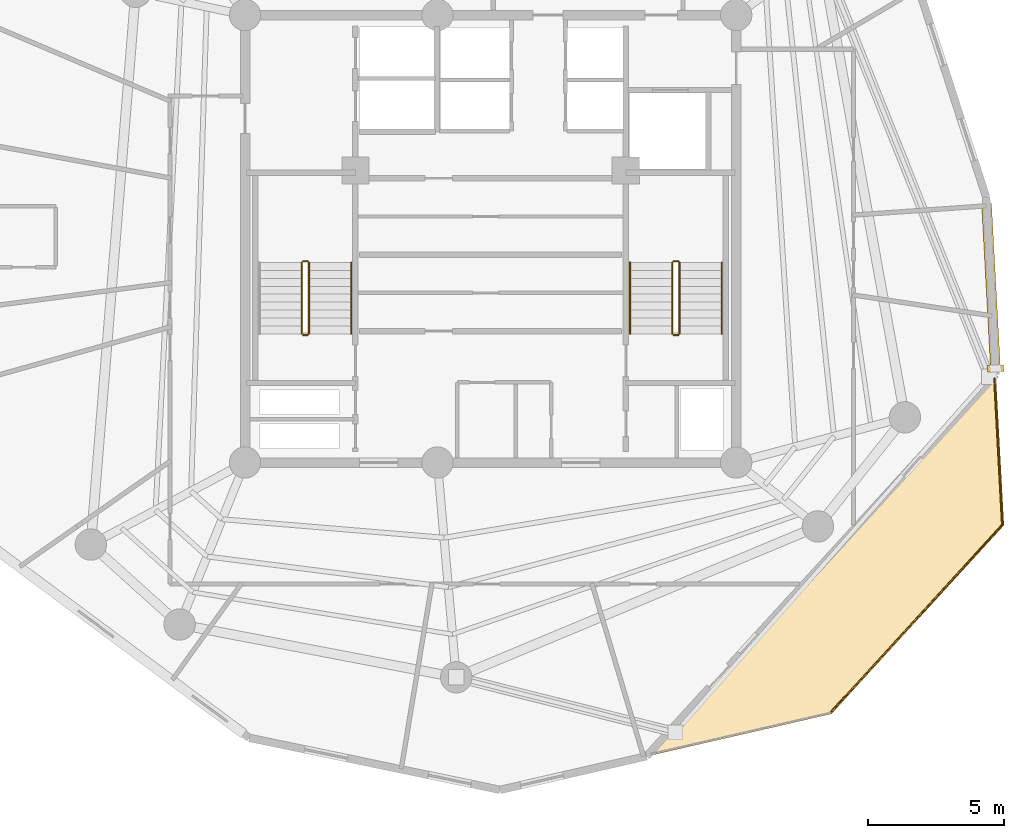
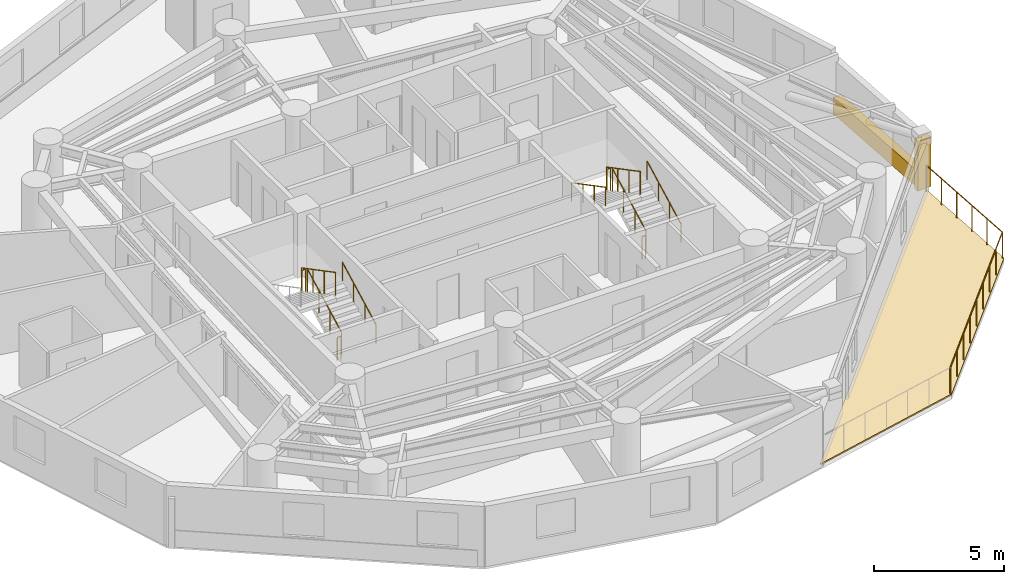
# One storey, part 8 of 9: 13 railings, 2 coverings, 1 shading device.
"""IFC4 building model written with IfcOpenShell, lengths in metres."""

import ifcopenshell
import ifcopenshell.guid

model = None  # the IFC model being written
_history = None  # IfcOwnerHistory: only IFC2X3 demands one
_inside = {}  # id of a spatial element -> (the spatial element, [elements in it])
_under = {}  # id of a project, library or spatial element -> (it, [spatial elements below it])
_declared = {}  # id of a project -> (the project, [libraries it declares])
_typed = {}  # id of a type object -> (the type object, [elements of that type])
_made_of = {}  # id of a material, layer set ... -> (it, [elements and type objects made of it])


def new_model(schema):
    """Start an empty IFC model of exactly this schema.

    Asked for "IFC4X3", IfcOpenShell would pick the latest addendum, in which some entities
    have other attributes; the version numbers below select the first issue.
    IFC2X3 requires an IfcOwnerHistory on every rooted entity: one is made here for all.
    """
    global model, _history
    if schema == "IFC4X3":
        model = ifcopenshell.file(schema_version=(4, 3, 0, 0))
    else:
        model = ifcopenshell.file(schema=schema)
    _inside.clear()
    _under.clear()
    _declared.clear()
    _typed.clear()
    _made_of.clear()
    _history = None
    if model.schema == "IFC2X3":
        org = make("IfcOrganization", Name="unknown")
        user = make(
            "IfcPersonAndOrganization",
            ThePerson=make("IfcPerson", FamilyName="unknown"),
            TheOrganization=org,
        )
        app = make(
            "IfcApplication",
            ApplicationDeveloper=org,
            Version="unknown",
            ApplicationFullName="unknown",
            ApplicationIdentifier="unknown",
        )
        _history = make(
            "IfcOwnerHistory",
            OwningUser=user,
            OwningApplication=app,
            ChangeAction="ADDED",
            CreationDate=0,
        )
    return model


def make(cls, **values):
    """One entity of the class cls with the attributes given. An attribute that is None is left unset."""
    return model.create_entity(
        cls, **{name: value for name, value in values.items() if value is not None}
    )


def rooted(cls, **values):
    """An entity with a GlobalId (a new one), such as an element, a storey or a relation."""
    return make(cls, GlobalId=ifcopenshell.guid.new(), OwnerHistory=_history, **values)


def si_unit(unit_type, name, prefix=None):
    """IfcSIUnit, for example si_unit("LENGTHUNIT", "METRE", prefix="MILLI")."""
    return make("IfcSIUnit", UnitType=unit_type, Prefix=prefix, Name=name)


def assignment(units):
    """IfcUnitAssignment: the units of a project."""
    return None if units is None else make("IfcUnitAssignment", Units=units)


def point(xyz):
    """IfcCartesianPoint."""
    return None if xyz is None else make("IfcCartesianPoint", Coordinates=xyz)


def direction(xyz):
    """IfcDirection."""
    return None if xyz is None else make("IfcDirection", DirectionRatios=xyz)


def frame(location, z_axis=None, x_axis=None):
    """IfcAxis2Placement3D, a coordinate frame: its origin and axes. An axis left out is left unset."""
    return make(
        "IfcAxis2Placement3D",
        Location=point(location),
        Axis=direction(z_axis),
        RefDirection=direction(x_axis),
    )


def frame_2d(location, x_axis=None):
    """IfcAxis2Placement2D, a coordinate frame in the plane: its origin and x axis."""
    return make(
        "IfcAxis2Placement2D", Location=point(location), RefDirection=direction(x_axis)
    )


def origin():
    """The frame at (0, 0, 0) with its axes left unset."""
    return frame((0.0, 0.0, 0.0))


def origin_with_axes():
    """The frame at (0, 0, 0) with the z axis (0, 0, 1) and the x axis (1, 0, 0) written out."""
    return frame((0.0, 0.0, 0.0), z_axis=(0.0, 0.0, 1.0), x_axis=(1.0, 0.0, 0.0))


def origin_2d():
    """The frame at (0, 0) in the plane with its x axis left unset."""
    return frame_2d((0.0, 0.0))


def place(relative_to, where):
    """IfcLocalPlacement: puts the frame where relative to a parent placement (None: the world)."""
    return make(
        "IfcLocalPlacement", PlacementRelTo=relative_to, RelativePlacement=where
    )


def context(
    kind, dimensions, precision=None, world=None, true_north=None, identifier=None
):
    """IfcGeometricRepresentationContext, for example the 3D "Model" context."""
    return make(
        "IfcGeometricRepresentationContext",
        ContextIdentifier=identifier,
        ContextType=kind,
        CoordinateSpaceDimension=dimensions,
        Precision=precision,
        WorldCoordinateSystem=world,
        TrueNorth=true_north,
    )


def subcontext(parent, identifier, kind, view, scale=None):
    """IfcGeometricRepresentationSubContext, for example "Body" below "Model"."""
    return make(
        "IfcGeometricRepresentationSubContext",
        ContextIdentifier=identifier,
        ContextType=kind,
        ParentContext=parent,
        TargetScale=scale,
        TargetView=view,
    )


def project(units=None, contexts=None):
    """IfcProject with its units and contexts."""
    return rooted(
        "IfcProject",
        Name="project",
        RepresentationContexts=contexts,
        UnitsInContext=assignment(units),
    )


def spatial(cls, under=None, at=None, **own):
    """A site, building, storey or space (cls), placed at a placement, below another one or the project."""
    s = rooted(cls, ObjectPlacement=at, **own)
    if under is not None:
        _under.setdefault(under.id(), (under, []))[1].append(s)
    return s


def polyline(points):
    """IfcPolyline through the points."""
    return make("IfcPolyline", Points=[point(p) for p in points])


def profile(cls, at=None, kind="AREA", **sizes):
    """A parametric profile (cls). Its sizes go by their IFC names, for example OverallWidth=200.0."""
    return make(cls, ProfileType=kind, Position=at, **sizes)


def rectangle(**sizes):
    """IfcRectangleProfileDef."""
    return profile("IfcRectangleProfileDef", **sizes)


def circle(**sizes):
    """IfcCircleProfileDef."""
    return profile("IfcCircleProfileDef", **sizes)


def outline(outer, holes=None, kind="AREA"):
    """IfcArbitraryClosedProfileDef: a profile drawn as a closed curve; with holes, ...WithVoids."""
    if holes is None:
        return make("IfcArbitraryClosedProfileDef", ProfileType=kind, OuterCurve=outer)
    return make(
        "IfcArbitraryProfileDefWithVoids",
        ProfileType=kind,
        OuterCurve=outer,
        InnerCurves=holes,
    )


def extrude(swept, where, along, depth):
    """IfcExtrudedAreaSolid: the profile swept, set in the frame where, extruded along a direction by depth."""
    return make(
        "IfcExtrudedAreaSolid",
        SweptArea=swept,
        Position=where,
        ExtrudedDirection=direction(along),
        Depth=depth,
    )


def shape(context_of_items, identifier, shape_type, items):
    """IfcShapeRepresentation: the items that make up one representation, for example the "Body"."""
    return make(
        "IfcShapeRepresentation",
        ContextOfItems=context_of_items,
        RepresentationIdentifier=identifier,
        RepresentationType=shape_type,
        Items=items,
    )


def source(mapping_origin, context_of_items, identifier, shape_type, items):
    """IfcRepresentationMap: a shape defined once, which mapped items show again and again."""
    return make(
        "IfcRepresentationMap",
        MappingOrigin=mapping_origin,
        MappedRepresentation=shape(context_of_items, identifier, shape_type, items),
    )


def transform(
    local_origin,
    x_axis=None,
    y_axis=None,
    z_axis=None,
    scale=None,
    scale2=None,
    scale3=None,
    uniform=True,
):
    """IfcCartesianTransformationOperator3D, or its non-uniform kind. x_axis, y_axis, z_axis: its Axis1, 2, 3."""
    if uniform:
        return make(
            "IfcCartesianTransformationOperator3D",
            Axis1=direction(x_axis),
            Axis2=direction(y_axis),
            LocalOrigin=point(local_origin),
            Scale=scale,
            Axis3=direction(z_axis),
        )
    return make(
        "IfcCartesianTransformationOperator3DnonUniform",
        Axis1=direction(x_axis),
        Axis2=direction(y_axis),
        LocalOrigin=point(local_origin),
        Scale=scale,
        Axis3=direction(z_axis),
        Scale2=scale2,
        Scale3=scale3,
    )


def mapped(mapping_source, mapping_target):
    """IfcMappedItem: shows the shape of a source again, moved by a transform."""
    return make(
        "IfcMappedItem", MappingSource=mapping_source, MappingTarget=mapping_target
    )


def material(Name=None, Category=None):
    """IfcMaterial."""
    return make("IfcMaterial", Name=Name, Category=Category)


def layer(
    of_material, thickness, ventilated=None, Name=None, Category=None, Priority=None
):
    """IfcMaterialLayer: one layer of a wall or slab, of a material (None: an air gap)."""
    return make(
        "IfcMaterialLayer",
        Material=of_material,
        LayerThickness=thickness,
        IsVentilated=ventilated,
        Name=Name,
        Category=Category,
        Priority=Priority,
    )


def layer_set(layers, Name=None):
    """IfcMaterialLayerSet."""
    return make("IfcMaterialLayerSet", MaterialLayers=layers, LayerSetName=Name)


def made_of(thing, what):
    """Note that an element or type object is made of a material, layer set ...; save() writes the relation."""
    if what is not None:
        _made_of.setdefault(what.id(), (what, []))[1].append(thing)
    return thing


def type_object(cls, material=None, **own):
    """A type object (cls), such as IfcWallType, which elements share."""
    return made_of(rooted(cls, **own), material)


def element(
    cls,
    number,
    at=None,
    inside=None,
    cuts=None,
    type_object=None,
    material=None,
    context=None,
    identifier="Body",
    shape_type=None,
    held_by="IfcProductDefinitionShape",
    body=None,
    shapes=None,
    **own,
):
    """One element of the class cls, such as IfcWall. Its Tag is "e" and its number.

    at: its placement. inside: the storey or other place that contains it. cuts: it is an
    opening in that element (IfcRelVoidsElement). A single representation is given by context,
    identifier, shape_type and body (its items); several are given by shapes. held_by: the class
    of the entity that holds the representations. save() writes the other relations.
    """
    e = rooted(cls, Tag="e%d" % number, ObjectPlacement=at, **own)
    if body is not None:
        shapes = [shape(context, identifier, shape_type, body)]
    if shapes is not None:
        e.Representation = make(held_by, Representations=shapes)
    if inside is not None:
        _inside.setdefault(inside.id(), (inside, []))[1].append(e)
    if cuts is not None:
        rooted(
            "IfcRelVoidsElement", RelatingBuildingElement=cuts, RelatedOpeningElement=e
        )
    if type_object is not None:
        _typed.setdefault(type_object.id(), (type_object, []))[1].append(e)
    return made_of(e, material)


def aggregate(whole, parts):
    """IfcRelAggregates: a whole, such as a stair, and the parts it consists of."""
    return rooted("IfcRelAggregates", RelatingObject=whole, RelatedObjects=parts)


def save(model, path):
    """Write the relations noted so far, then the file.

    IfcRelAggregates (storeys below a building ...), IfcRelContainedInSpatialStructure (elements
    in a storey), IfcRelDefinesByType, IfcRelAssociatesMaterial and IfcRelDeclares: one each for
    every whole, place, type object, material and project.
    """
    for whole, parts in _under.values():
        aggregate(whole, parts)
    for where, things in _inside.values():
        rooted(
            "IfcRelContainedInSpatialStructure",
            RelatedElements=things,
            RelatingStructure=where,
        )
    for kind, things in _typed.values():
        rooted("IfcRelDefinesByType", RelatedObjects=things, RelatingType=kind)
    for what, things in _made_of.values():
        rooted("IfcRelAssociatesMaterial", RelatedObjects=things, RelatingMaterial=what)
    for by, libraries in _declared.values():
        rooted("IfcRelDeclares", RelatingContext=by, RelatedDefinitions=libraries)
    model.write(path)


model = new_model("IFC4")

# Units and contexts
model_context = context("Model", 3, precision=1e-05, world=origin(), true_north=direction((0.0, 1.0)))
body_context = subcontext(model_context, "Body", "Model", "MODEL_VIEW")
ifc_project = project(units=[si_unit("LENGTHUNIT", "METRE"), si_unit("AREAUNIT", "SQUARE_METRE"), si_unit("VOLUMEUNIT", "CUBIC_METRE"), si_unit("PLANEANGLEUNIT", "RADIAN"), si_unit("MASSUNIT", "GRAM", prefix="KILO")], contexts=[model_context])

# Site, building, storey
site_placement = place(None, origin())
site = spatial("IfcSite", under=ifc_project, at=site_placement, CompositionType="ELEMENT")
building_placement = place(site_placement, origin())
building = spatial("IfcBuilding", under=site, at=building_placement, Name="Karkom Vertical University and Central Library", CompositionType="ELEMENT")
storey_placement = place(building_placement, frame((0.0, 0.0, 232.14990234375)))
storey = spatial("IfcBuildingStorey", under=building, at=storey_placement, Name="L68", CompositionType="ELEMENT", Elevation=232.14990234375)

# Covering
ifc_material_1 = material(Name="EPDM membrane with Kota stone ballast roofing", Category="masonry")
ifc_layer_1 = layer(ifc_material_1, 0.080078125)
ifc_layer_set_1 = layer_set([ifc_layer_1], Name="EPDM membrane with Kota stone ballast roofing")
covering_type_1 = type_object("IfcCoveringType", Name="ENV-COV-ROOF", PredefinedType="ROOFING", material=ifc_layer_set_1)
covering_1_placement = place(storey_placement, origin())
element("IfcCovering", 1, at=covering_1_placement, inside=storey, type_object=covering_type_1, Name="Level 68 Spiral Sky Garden Waterproofing Covering", PredefinedType="ROOFING", context=body_context, shape_type="SweptSolid", body=[
    extrude(outline(polyline([(34.21826171875, 7.533203125), (40.993408203125, 9.0888671875), (47.314208984375, 16.001220703125), (47.01513671875, 21.52734375), (34.21826171875, 7.533203125)])), origin(), (0.0, 0.0, 1.0), 0.06005859375),
])

# Railings
ifc_material_2 = material(Name="Architectural painted steel & laminated glass balustrade", Category="steel")
ifc_layer_2 = layer(ifc_material_2, 0.090087890625)
ifc_layer_set_2 = layer_set([ifc_layer_2], Name="Architectural painted steel & laminated glass balustrade")
railing_type_1 = type_object("IfcRailingType", Name="ENV-RL-BAL1300", PredefinedType="BALUSTRADE", material=ifc_layer_set_2)
railing_1_placement = place(storey_placement, frame((46.962890625, 21.38134765625, 0.0)))
element("IfcRailing", 2, at=railing_1_placement, inside=storey, type_object=railing_type_1, Name="Level 68 Planted Terrace Safety Balustrade 01", PredefinedType="BALUSTRADE", context=body_context, shape_type="SweptSolid", body=[
    extrude(circle(Radius=0.02392578125, at=origin_2d()), frame((0.0, 0.0, 1.27587890625), z_axis=(0.054048819645, -0.998538294256, 0.0), x_axis=(0.998538294256, 0.054048819645, 0.0)), (0.0, 0.0, 1.0), 5.3662109375),
    extrude(circle(Radius=0.02099609375, at=origin_2d()), origin(), (0.0, 0.0, 1.0), 1.251953125),
    extrude(circle(Radius=0.02099609375, at=origin_2d()), frame((0.05810546875, -1.07177734375, 0.0)), (0.0, 0.0, 1.0), 1.251953125),
    extrude(circle(Radius=0.02099609375, at=origin_2d()), frame((0.115966796875, -2.143310546875, 0.0)), (0.0, 0.0, 1.0), 1.251953125),
    extrude(circle(Radius=0.02099609375, at=origin_2d()), frame((0.174072265625, -3.215087890625, 0.0)), (0.0, 0.0, 1.0), 1.251953125),
    extrude(circle(Radius=0.02099609375, at=origin_2d()), frame((0.23193359375, -4.28662109375, 0.0)), (0.0, 0.0, 1.0), 1.251953125),
    extrude(circle(Radius=0.02099609375, at=origin_2d()), frame((0.2900390625, -5.3583984375, 0.0)), (0.0, 0.0, 1.0), 1.251953125),
])
railing_2_placement = place(storey_placement, frame((47.2529296875, 16.02294921875, 0.0)))
element("IfcRailing", 3, at=railing_2_placement, inside=storey, type_object=railing_type_1, Name="Level 68 Planted Terrace Safety Balustrade 02", PredefinedType="BALUSTRADE", context=body_context, shape_type="SweptSolid", body=[
    extrude(circle(Radius=0.02392578125, at=origin_2d()), frame((0.0, 0.0, 1.27587890625), z_axis=(-0.674845408573, -0.737959127952, 0.0), x_axis=(0.737959127952, -0.674845408573, 0.0)), (0.0, 0.0, 1.0), 9.322509765625),
    extrude(circle(Radius=0.02099609375, at=origin_2d()), origin(), (0.0, 0.0, 1.0), 1.251953125),
    extrude(circle(Radius=0.02099609375, at=origin_2d()), frame((-0.786376953125, -0.85986328125, 0.0)), (0.0, 0.0, 1.0), 1.251953125),
    extrude(circle(Radius=0.02099609375, at=origin_2d()), frame((-1.57275390625, -1.719970703125, 0.0)), (0.0, 0.0, 1.0), 1.251953125),
    extrude(circle(Radius=0.02099609375, at=origin_2d()), frame((-2.359130859375, -2.579833984375, 0.0)), (0.0, 0.0, 1.0), 1.251953125),
    extrude(circle(Radius=0.02099609375, at=origin_2d()), frame((-3.1455078125, -3.43994140625, 0.0)), (0.0, 0.0, 1.0), 1.251953125),
    extrude(circle(Radius=0.02099609375, at=origin_2d()), frame((-3.93212890625, -4.2998046875, 0.0)), (0.0, 0.0, 1.0), 1.251953125),
    extrude(circle(Radius=0.02099609375, at=origin_2d()), frame((-4.718505859375, -5.15966796875, 0.0)), (0.0, 0.0, 1.0), 1.251953125),
    extrude(circle(Radius=0.02099609375, at=origin_2d()), frame((-5.5048828125, -6.019775390625, 0.0)), (0.0, 0.0, 1.0), 1.251953125),
    extrude(circle(Radius=0.02099609375, at=origin_2d()), frame((-6.291259765625, -6.879638671875, 0.0)), (0.0, 0.0, 1.0), 1.251953125),
])
ifc_material_3 = material(Name="Painted galvanised steel balustrade", Category="steel")
ifc_layer_3 = layer(ifc_material_3, 0.06005859375)
ifc_layer_set_3 = layer_set([ifc_layer_3], Name="Painted galvanised steel balustrade")
railing_type_2 = type_object("IfcRailingType", Name="INT-RL-GUARD1100", PredefinedType="GUARDRAIL", material=ifc_layer_set_3)
railing_3_placement = place(storey_placement, frame((21.840087890625, 23.02001953125, 0.152587890625)))
element("IfcRailing", 4, at=railing_3_placement, inside=storey, type_object=railing_type_2, Name="Level 68 ST-1 stair guard 1", PredefinedType="GUARDRAIL", context=body_context, shape_type="SweptSolid", body=[
    extrude(circle(Radius=0.02392578125, at=origin_2d()), frame((0.0, 0.0, 1.076171875), z_axis=(0.0, 0.885065446896, 0.46546659892), x_axis=(-1.0, 0.0, 0.0)), (0.0, 0.0, 1.0), 2.94873046875),
    extrude(circle(Radius=0.02099609375, at=origin_2d()), origin(), (0.0, 0.0, 1.0), 1.052001953125),
    extrude(circle(Radius=0.02099609375, at=origin_2d()), frame((0.0, 0.869873046875, 0.45751953125)), (0.0, 0.0, 1.0), 1.052001953125),
    extrude(circle(Radius=0.02099609375, at=origin_2d()), frame((0.0, 1.739990234375, 0.9150390625)), (0.0, 0.0, 1.0), 1.052001953125),
    extrude(circle(Radius=0.02099609375, at=origin_2d()), frame((0.0, 2.60986328125, 1.37255859375)), (0.0, 0.0, 1.0), 1.052001953125),
])
railing_4_placement = place(storey_placement, frame((21.7900390625, 25.679931640625, 1.525146484375)))
element("IfcRailing", 5, at=railing_4_placement, inside=storey, type_object=railing_type_2, Name="Level 68 ST-1 stair guard 2", PredefinedType="GUARDRAIL", context=body_context, shape_type="SweptSolid", body=[
    extrude(circle(Radius=0.02392578125, at=origin_2d()), frame((0.0, 0.0, 1.076171875), z_axis=(-1.0, 0.0, 0.0), x_axis=(0.0, -1.0, 0.0)), (0.0, 0.0, 1.0), 0.16015625),
    extrude(circle(Radius=0.02099609375, at=origin_2d()), origin(), (0.0, 0.0, 1.0), 1.052001953125),
    extrude(circle(Radius=0.02099609375, at=origin_2d()), frame((-0.16015625, 0.0, 0.0)), (0.0, 0.0, 1.0), 1.052001953125),
])
railing_5_placement = place(storey_placement, frame((21.580078125, 25.6298828125, 1.677490234375)))
element("IfcRailing", 6, at=railing_5_placement, inside=storey, type_object=railing_type_2, Name="Level 68 ST-1 stair guard 3", PredefinedType="GUARDRAIL", context=body_context, shape_type="SweptSolid", body=[
    extrude(circle(Radius=0.02392578125, at=origin_2d()), frame((0.0, 0.0, 1.076171875), z_axis=(0.0, -0.885065446896, 0.46546659892), x_axis=(1.0, 0.0, 0.0)), (0.0, 0.0, 1.0), 2.94873046875),
    extrude(circle(Radius=0.02099609375, at=origin_2d()), origin(), (0.0, 0.0, 1.0), 1.052001953125),
    extrude(circle(Radius=0.02099609375, at=origin_2d()), frame((0.0, -0.869873046875, 0.45751953125)), (0.0, 0.0, 1.0), 1.052001953125),
    extrude(circle(Radius=0.02099609375, at=origin_2d()), frame((0.0, -1.739990234375, 0.9150390625)), (0.0, 0.0, 1.0), 1.052001953125),
    extrude(circle(Radius=0.02099609375, at=origin_2d()), frame((0.0, -2.60986328125, 1.37255859375)), (0.0, 0.0, 1.0), 1.052001953125),
])
railing_6_placement = place(storey_placement, frame((21.7900390625, 22.969970703125, 0.0)))
element("IfcRailing", 7, at=railing_6_placement, inside=storey, type_object=railing_type_2, Name="Level 68 ST-1 stair guard 4", PredefinedType="GUARDRAIL", context=body_context, shape_type="SweptSolid", body=[
    extrude(circle(Radius=0.02392578125, at=origin_2d()), frame((0.0, 0.0, 1.076171875), z_axis=(-1.0, 0.0, 0.0), x_axis=(0.0, -1.0, 0.0)), (0.0, 0.0, 1.0), 0.16015625),
    extrude(circle(Radius=0.02099609375, at=origin_2d()), origin(), (0.0, 0.0, 1.0), 1.052001953125),
    extrude(circle(Radius=0.02099609375, at=origin_2d()), frame((-0.16015625, 0.0, 0.0)), (0.0, 0.0, 1.0), 1.052001953125),
])
railing_7_placement = place(storey_placement, frame((35.419921875, 23.02001953125, 0.152587890625)))
element("IfcRailing", 8, at=railing_7_placement, inside=storey, type_object=railing_type_2, Name="Level 68 ST-2 stair guard 1", PredefinedType="GUARDRAIL", context=body_context, shape_type="SweptSolid", body=[
    extrude(circle(Radius=0.02392578125, at=origin_2d()), frame((0.0, 0.0, 1.076171875), z_axis=(0.0, 0.885065446896, 0.46546659892), x_axis=(-1.0, 0.0, 0.0)), (0.0, 0.0, 1.0), 2.94873046875),
    extrude(circle(Radius=0.02099609375, at=origin_2d()), origin(), (0.0, 0.0, 1.0), 1.052001953125),
    extrude(circle(Radius=0.02099609375, at=origin_2d()), frame((0.0, 0.869873046875, 0.45751953125)), (0.0, 0.0, 1.0), 1.052001953125),
    extrude(circle(Radius=0.02099609375, at=origin_2d()), frame((0.0, 1.739990234375, 0.9150390625)), (0.0, 0.0, 1.0), 1.052001953125),
    extrude(circle(Radius=0.02099609375, at=origin_2d()), frame((0.0, 2.60986328125, 1.37255859375)), (0.0, 0.0, 1.0), 1.052001953125),
])
railing_8_placement = place(storey_placement, frame((35.3701171875, 25.679931640625, 1.525146484375)))
element("IfcRailing", 9, at=railing_8_placement, inside=storey, type_object=railing_type_2, Name="Level 68 ST-2 stair guard 2", PredefinedType="GUARDRAIL", context=body_context, shape_type="SweptSolid", body=[
    extrude(circle(Radius=0.02392578125, at=origin_2d()), frame((0.0, 0.0, 1.076171875), z_axis=(-1.0, 0.0, 0.0), x_axis=(0.0, -1.0, 0.0)), (0.0, 0.0, 1.0), 0.16015625),
    extrude(circle(Radius=0.02099609375, at=origin_2d()), origin(), (0.0, 0.0, 1.0), 1.052001953125),
    extrude(circle(Radius=0.02099609375, at=origin_2d()), frame((-0.16015625, 0.0, 0.0)), (0.0, 0.0, 1.0), 1.052001953125),
])
railing_9_placement = place(storey_placement, frame((35.159912109375, 25.6298828125, 1.677490234375)))
element("IfcRailing", 10, at=railing_9_placement, inside=storey, type_object=railing_type_2, Name="Level 68 ST-2 stair guard 3", PredefinedType="GUARDRAIL", context=body_context, shape_type="SweptSolid", body=[
    extrude(circle(Radius=0.02392578125, at=origin_2d()), frame((0.0, 0.0, 1.076171875), z_axis=(0.0, -0.885065446896, 0.46546659892), x_axis=(1.0, 0.0, 0.0)), (0.0, 0.0, 1.0), 2.94873046875),
    extrude(circle(Radius=0.02099609375, at=origin_2d()), origin(), (0.0, 0.0, 1.0), 1.052001953125),
    extrude(circle(Radius=0.02099609375, at=origin_2d()), frame((0.0, -0.869873046875, 0.45751953125)), (0.0, 0.0, 1.0), 1.052001953125),
    extrude(circle(Radius=0.02099609375, at=origin_2d()), frame((0.0, -1.739990234375, 0.9150390625)), (0.0, 0.0, 1.0), 1.052001953125),
    extrude(circle(Radius=0.02099609375, at=origin_2d()), frame((0.0, -2.60986328125, 1.37255859375)), (0.0, 0.0, 1.0), 1.052001953125),
])
railing_10_placement = place(storey_placement, frame((35.3701171875, 22.969970703125, 0.0)))
element("IfcRailing", 11, at=railing_10_placement, inside=storey, type_object=railing_type_2, Name="Level 68 ST-2 stair guard 4", PredefinedType="GUARDRAIL", context=body_context, shape_type="SweptSolid", body=[
    extrude(circle(Radius=0.02392578125, at=origin_2d()), frame((0.0, 0.0, 1.076171875), z_axis=(-1.0, 0.0, 0.0), x_axis=(0.0, -1.0, 0.0)), (0.0, 0.0, 1.0), 0.16015625),
    extrude(circle(Radius=0.02099609375, at=origin_2d()), origin(), (0.0, 0.0, 1.0), 1.052001953125),
    extrude(circle(Radius=0.02099609375, at=origin_2d()), frame((-0.16015625, 0.0, 0.0)), (0.0, 0.0, 1.0), 1.052001953125),
])
ifc_material_4 = material(Name="Brushed stainless-steel tubular handrail", Category="steel")
ifc_layer_4 = layer(ifc_material_4, 0.048095703125)
ifc_layer_set_4 = layer_set([ifc_layer_4], Name="Brushed stainless-steel tubular handrail")
railing_type_3 = type_object("IfcRailingType", Name="INT-RL-HAND920", PredefinedType="HANDRAIL", material=ifc_layer_set_4)
for number, where, name in (
    (12, (23.389892578125, 23.02001953125, 0.152587890625), "Level 68 ST-1 stair handrail 1"),
    (13, (36.969970703125, 23.02001953125, 0.152587890625), "Level 68 ST-2 stair handrail 1"),
):
    element("IfcRailing", number, at=place(storey_placement, frame(where)), inside=storey, type_object=railing_type_3, Name=name, PredefinedType="HANDRAIL", context=body_context, shape_type="SweptSolid", body=[
        extrude(circle(Radius=0.02392578125, at=origin_2d()), frame((0.0, 0.0, 0.8759765625), z_axis=(0.0, 0.885065446896, 0.46546659892), x_axis=(-1.0, 0.0, 0.0)), (0.0, 0.0, 1.0), 2.94873046875),
        extrude(circle(Radius=0.02099609375, at=origin_2d()), origin(), (0.0, 0.0, 1.0), 0.851806640625),
        extrude(circle(Radius=0.02099609375, at=origin_2d()), frame((0.0, 0.869873046875, 0.45751953125)), (0.0, 0.0, 1.0), 0.851806640625),
        extrude(circle(Radius=0.02099609375, at=origin_2d()), frame((0.0, 1.739990234375, 0.9150390625)), (0.0, 0.0, 1.0), 0.851806640625),
        extrude(circle(Radius=0.02099609375, at=origin_2d()), frame((0.0, 2.60986328125, 1.37255859375)), (0.0, 0.0, 1.0), 0.851806640625),
    ])
railing_11_placement = place(storey_placement, frame((33.610107421875, 25.6298828125, 1.677490234375)))
element("IfcRailing", 14, at=railing_11_placement, inside=storey, type_object=railing_type_3, Name="Level 68 ST-2 stair handrail 2", PredefinedType="HANDRAIL", context=body_context, shape_type="SweptSolid", body=[
    extrude(circle(Radius=0.02392578125, at=origin_2d()), frame((0.0, 0.0, 0.8759765625), z_axis=(0.0, -0.885065446896, 0.46546659892), x_axis=(1.0, 0.0, 0.0)), (0.0, 0.0, 1.0), 2.94873046875),
    extrude(circle(Radius=0.02099609375, at=origin_2d()), origin(), (0.0, 0.0, 1.0), 0.851806640625),
    extrude(circle(Radius=0.02099609375, at=origin_2d()), frame((0.0, -0.869873046875, 0.45751953125)), (0.0, 0.0, 1.0), 0.851806640625),
    extrude(circle(Radius=0.02099609375, at=origin_2d()), frame((0.0, -1.739990234375, 0.9150390625)), (0.0, 0.0, 1.0), 0.851806640625),
    extrude(circle(Radius=0.02099609375, at=origin_2d()), frame((0.0, -2.60986328125, 1.37255859375)), (0.0, 0.0, 1.0), 0.851806640625),
])

# Shading device
ifc_material_5 = material(Name="Terracotta-clad precast concrete sun-breaker fin C45/55", Category="masonry")
shading_device_type = type_object("IfcShadingDeviceType", Name="ENV-SHD-BRISE", PredefinedType="USERDEFINED", material=ifc_material_5)
shared_shape_1 = source(origin_with_axes(), body_context, "Body", "SweptSolid", [
    extrude(rectangle(XDim=0.239990234375, YDim=0.60009765625, at=origin_2d()), origin(), (0.0, 0.0, 1.0), 2.35009765625),
])
shading_device_placement = place(storey_placement, frame((47.00341796875, 21.7470703125, 0.0), z_axis=(0.0, 0.0, 1.0), x_axis=(-0.054078812985, 0.998536670326, 0.0)))
element("IfcShadingDevice", 15, at=shading_device_placement, inside=storey, type_object=shading_device_type, Name="Level 68 Brutalist Brise-Soleil Fin 05", ObjectType="BRISE SOLEIL", PredefinedType="USERDEFINED", context=body_context, shape_type="MappedRepresentation", body=[
    mapped(shared_shape_1, transform((0.0, 0.0, 0.0), scale=1.0)),
])

# Covering
ifc_material_6 = material(Name="Hand-pressed red-ochre terracotta brick slip cladding", Category="masonry")
ifc_layer_5 = layer(ifc_material_6, 0.090087890625)
ifc_layer_set_5 = layer_set([ifc_layer_5], Name="Hand-pressed red-ochre terracotta brick slip cladding")
covering_type_2 = type_object("IfcCoveringType", Name="ENV-COV-CLAD", PredefinedType="CLADDING", material=ifc_layer_set_5)
shared_shape_2 = source(origin_with_axes(), body_context, "Body", "SweptSolid", [
    extrude(rectangle(XDim=6.009033203125, YDim=0.360107421875, at=origin_2d()), origin(), (0.0, 0.0, 1.0), 0.780029296875),
])
covering_2_placement = place(storey_placement, frame((46.83935546875, 24.77734375, 0.0), z_axis=(0.0, 0.0, 1.0), x_axis=(-0.054078812985, 0.998536670326, 0.0)))
element("IfcCovering", 16, at=covering_2_placement, inside=storey, type_object=covering_type_2, Name="Level 68 Terracotta Spandrel Cladding 05", PredefinedType="CLADDING", context=body_context, shape_type="MappedRepresentation", body=[
    mapped(shared_shape_2, transform((0.0, 0.0, 0.0), scale=1.0)),
])

save(model, "model.ifc")
